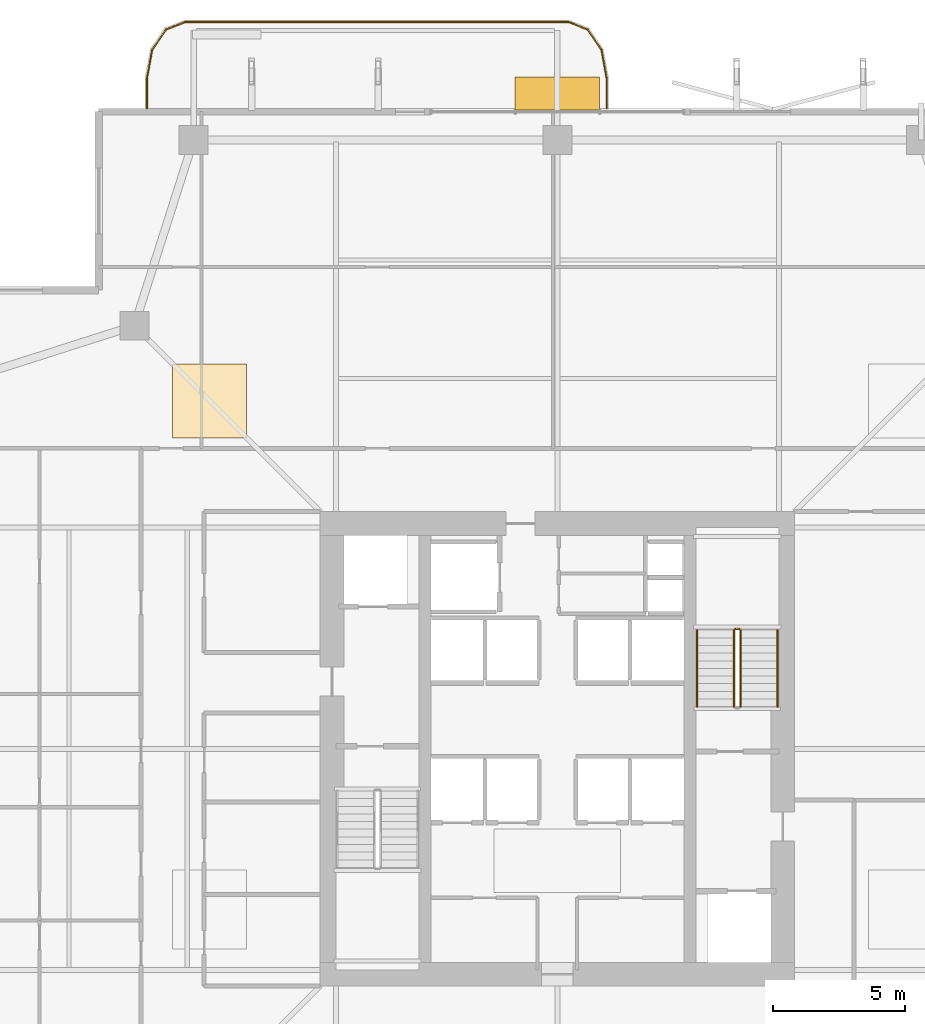
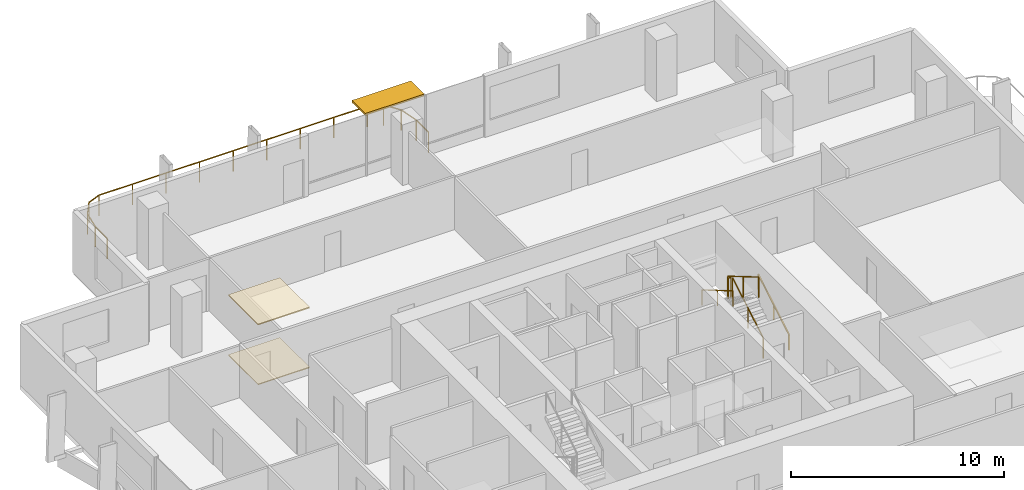
# One storey, part 24 of 25: 6 railings, 2 coverings, 1 shading device.
"""IFC4 building model written with IfcOpenShell, lengths in metres."""

from ifc_helpers import new_model, si_unit, direction, frame, origin, origin_2d, place, context, subcontext, project, spatial, polyline, rectangle, outline, extrude, material, layer, layer_set, type_object, element, save


model = new_model("IFC4")

# Units and contexts
model_context = context("Model", 3, precision=1e-05, world=origin(), true_north=direction((0.0, 1.0)))
body_context = subcontext(model_context, "Body", "Model", "MODEL_VIEW")
ifc_project = project(units=[si_unit("LENGTHUNIT", "METRE"), si_unit("AREAUNIT", "SQUARE_METRE"), si_unit("VOLUMEUNIT", "CUBIC_METRE"), si_unit("PLANEANGLEUNIT", "RADIAN"), si_unit("MASSUNIT", "GRAM", prefix="KILO")], contexts=[model_context])

# Site, building, storey
site_placement = place(None, origin())
site = spatial("IfcSite", under=ifc_project, at=site_placement, CompositionType="ELEMENT")
building_placement = place(site_placement, origin())
building = spatial("IfcBuilding", under=site, at=building_placement, Name="Belovzor Exchange Tower", CompositionType="ELEMENT")
storey_placement = place(building_placement, frame((0.0, 0.0, 153.300048828125)))
storey = spatial("IfcBuildingStorey", under=building, at=storey_placement, Name="L37", CompositionType="ELEMENT", Elevation=153.300048828125)

# Railings
ifc_material_1 = material(Name="Stainless Steel Grade 304", Category="steel")
railing_type_1 = type_object("IfcRailingType", Name="Brushed Stainless Steel Stair Handrail 900", PredefinedType="HANDRAIL", material=ifc_material_1)
railing_1_placement = place(storey_placement, frame((37.14990234375, 30.39990234375, 0.17041015625)))
element("IfcRailing", 1, at=railing_1_placement, inside=storey, type_object=railing_type_1, Name="L37 ST-2 stair handrail 1", PredefinedType="HANDRAIL", context=body_context, shape_type="SweptSolid", body=[
    extrude(rectangle(XDim=0.048095703125, YDim=0.048095703125, at=origin_2d()), frame((0.0, 0.0, 0.8759765625), z_axis=(0.0, 0.862113265706, 0.506715617574), x_axis=(-1.0, 0.0, 0.0)), (0.0, 0.0, 1.0), 3.364013671875),
    extrude(rectangle(XDim=0.0419921875, YDim=0.0419921875, at=origin_2d()), origin(), (0.0, 0.0, 1.0), 0.851806640625),
    extrude(rectangle(XDim=0.0419921875, YDim=0.0419921875, at=origin_2d()), frame((0.0, 1.4501953125, 0.852294921875)), (0.0, 0.0, 1.0), 0.851806640625),
    extrude(rectangle(XDim=0.0419921875, YDim=0.0419921875, at=origin_2d()), frame((0.0, 2.900146484375, 1.70458984375)), (0.0, 0.0, 1.0), 0.851806640625),
])
railing_2_placement = place(storey_placement, frame((34.10009765625, 33.300048828125, 2.04541015625)))
element("IfcRailing", 2, at=railing_2_placement, inside=storey, type_object=railing_type_1, Name="L37 ST-2 stair handrail 2", PredefinedType="HANDRAIL", context=body_context, shape_type="SweptSolid", body=[
    extrude(rectangle(XDim=0.048095703125, YDim=0.048095703125, at=origin_2d()), frame((0.0, 0.0, 0.8759765625), z_axis=(0.0, -0.862113265706, 0.506715617574), x_axis=(1.0, 0.0, 0.0)), (0.0, 0.0, 1.0), 3.364013671875),
    extrude(rectangle(XDim=0.0419921875, YDim=0.0419921875, at=origin_2d()), origin(), (0.0, 0.0, 1.0), 0.851806640625),
    extrude(rectangle(XDim=0.0419921875, YDim=0.0419921875, at=origin_2d()), frame((0.0, -1.4501953125, 0.852294921875)), (0.0, 0.0, 1.0), 0.851806640625),
    extrude(rectangle(XDim=0.0419921875, YDim=0.0419921875, at=origin_2d()), frame((0.0, -2.900146484375, 1.70458984375)), (0.0, 0.0, 1.0), 0.851806640625),
])
ifc_material_2 = material(Name="Stainless Steel and Laminated Safety Glass", Category="steel")
railing_type_2 = type_object("IfcRailingType", Name="Laminated Glass & Stainless Steel Balcony Balustrade 1200", PredefinedType="BALUSTRADE", material=ifc_material_2)
railing_3_placement = place(storey_placement, frame((30.669921875, 53.110107421875, 0.0)))
element("IfcRailing", 3, at=railing_3_placement, inside=storey, type_object=railing_type_2, Name="GR-1 Balcony Balustrade L37 North", PredefinedType="BALUSTRADE", context=body_context, shape_type="SweptSolid", body=[
    extrude(rectangle(XDim=0.048095703125, YDim=0.048095703125, at=origin_2d()), frame((0.0, 0.0, 1.17578125), z_axis=(0.0, 1.0, 0.0), x_axis=(-1.0, 0.0, 0.0)), (0.0, 0.0, 1.0), 1.1328125),
    extrude(rectangle(XDim=0.048095703125, YDim=0.048095703125, at=origin_2d()), frame((0.0, 1.1328125, 1.17578125), z_axis=(-0.180083182347, 0.983651385113, 0.0), x_axis=(-0.983651385113, -0.180083182347, 0.0)), (0.0, 0.0, 1.0), 1.093994140625),
    extrude(rectangle(XDim=0.048095703125, YDim=0.048095703125, at=origin_2d()), frame((-0.197021484375, 2.208984375, 1.17578125), z_axis=(-0.562768145367, 0.826614792125, 0.0), x_axis=(-0.826614792125, -0.562768145367, 0.0)), (0.0, 0.0, 1.0), 0.9326171875),
    extrude(rectangle(XDim=0.048095703125, YDim=0.048095703125, at=origin_2d()), frame((-0.721923828125, 2.97998046875, 1.17578125), z_axis=(-0.930766990125, 0.365612923861, 0.0), x_axis=(-0.365612923861, -0.930766990125, 0.0)), (0.0, 0.0, 1.0), 0.765869140625),
    extrude(rectangle(XDim=0.048095703125, YDim=0.048095703125, at=origin_2d()), frame((-1.434814453125, 3.260009765625, 1.17578125), z_axis=(-1.0, 0.0, 0.0), x_axis=(0.0, -1.0, 0.0)), (0.0, 0.0, 1.0), 14.570068359375),
    extrude(rectangle(XDim=0.048095703125, YDim=0.048095703125, at=origin_2d()), frame((-16.0048828125, 3.260009765625, 1.17578125), z_axis=(-0.930809580156, -0.365504480807, 0.0), x_axis=(0.365504480807, -0.930809580156, 0.0)), (0.0, 0.0, 1.0), 0.76611328125),
    extrude(rectangle(XDim=0.048095703125, YDim=0.048095703125, at=origin_2d()), frame((-16.718017578125, 2.97998046875, 1.17578125), z_axis=(-0.562768145367, -0.826614792125, 0.0), x_axis=(0.826614792125, -0.562768145367, 0.0)), (0.0, 0.0, 1.0), 0.9326171875),
    extrude(rectangle(XDim=0.048095703125, YDim=0.048095703125, at=origin_2d()), frame((-17.242919921875, 2.208984375, 1.17578125), z_axis=(-0.180083182347, -0.983651385113, 0.0), x_axis=(0.983651385113, -0.180083182347, 0.0)), (0.0, 0.0, 1.0), 1.093994140625),
    extrude(rectangle(XDim=0.048095703125, YDim=0.048095703125, at=origin_2d()), frame((-17.43994140625, 1.1328125, 1.17578125), z_axis=(0.0, -1.0, 0.0), x_axis=(1.0, 0.0, 0.0)), (0.0, 0.0, 1.0), 1.1328125),
    extrude(rectangle(XDim=0.0419921875, YDim=0.0419921875, at=origin_2d()), origin(), (0.0, 0.0, 1.0), 1.15185546875),
    extrude(rectangle(XDim=0.0419921875, YDim=0.0419921875, at=origin_2d()), frame((0.0, 1.1328125, 0.0)), (0.0, 0.0, 1.0), 1.15185546875),
    extrude(rectangle(XDim=0.0419921875, YDim=0.0419921875, at=origin_2d()), frame((-0.197021484375, 2.208984375, 0.0)), (0.0, 0.0, 1.0), 1.15185546875),
    extrude(rectangle(XDim=0.0419921875, YDim=0.0419921875, at=origin_2d()), frame((-0.721923828125, 2.97998046875, 0.0)), (0.0, 0.0, 1.0), 1.15185546875),
    extrude(rectangle(XDim=0.0419921875, YDim=0.0419921875, at=origin_2d()), frame((-1.434814453125, 3.260009765625, 0.0)), (0.0, 0.0, 1.0), 1.15185546875),
    extrude(rectangle(XDim=0.0419921875, YDim=0.0419921875, at=origin_2d()), frame((-3.256103515625, 3.260009765625, 0.0)), (0.0, 0.0, 1.0), 1.15185546875),
    extrude(rectangle(XDim=0.0419921875, YDim=0.0419921875, at=origin_2d()), frame((-5.077392578125, 3.260009765625, 0.0)), (0.0, 0.0, 1.0), 1.15185546875),
    extrude(rectangle(XDim=0.0419921875, YDim=0.0419921875, at=origin_2d()), frame((-6.898681640625, 3.260009765625, 0.0)), (0.0, 0.0, 1.0), 1.15185546875),
    extrude(rectangle(XDim=0.0419921875, YDim=0.0419921875, at=origin_2d()), frame((-8.7197265625, 3.260009765625, 0.0)), (0.0, 0.0, 1.0), 1.15185546875),
    extrude(rectangle(XDim=0.0419921875, YDim=0.0419921875, at=origin_2d()), frame((-10.541015625, 3.260009765625, 0.0)), (0.0, 0.0, 1.0), 1.15185546875),
    extrude(rectangle(XDim=0.0419921875, YDim=0.0419921875, at=origin_2d()), frame((-12.3623046875, 3.260009765625, 0.0)), (0.0, 0.0, 1.0), 1.15185546875),
    extrude(rectangle(XDim=0.0419921875, YDim=0.0419921875, at=origin_2d()), frame((-14.18359375, 3.260009765625, 0.0)), (0.0, 0.0, 1.0), 1.15185546875),
    extrude(rectangle(XDim=0.0419921875, YDim=0.0419921875, at=origin_2d()), frame((-16.0048828125, 3.260009765625, 0.0)), (0.0, 0.0, 1.0), 1.15185546875),
    extrude(rectangle(XDim=0.0419921875, YDim=0.0419921875, at=origin_2d()), frame((-16.718017578125, 2.97998046875, 0.0)), (0.0, 0.0, 1.0), 1.15185546875),
    extrude(rectangle(XDim=0.0419921875, YDim=0.0419921875, at=origin_2d()), frame((-17.242919921875, 2.208984375, 0.0)), (0.0, 0.0, 1.0), 1.15185546875),
    extrude(rectangle(XDim=0.0419921875, YDim=0.0419921875, at=origin_2d()), frame((-17.43994140625, 1.1328125, 0.0)), (0.0, 0.0, 1.0), 1.15185546875),
    extrude(rectangle(XDim=0.0419921875, YDim=0.0419921875, at=origin_2d()), frame((-17.43994140625, 0.0, 0.0)), (0.0, 0.0, 1.0), 1.15185546875),
])
ifc_material_3 = material(Name="Steel S355", Category="steel")
railing_type_3 = type_object("IfcRailingType", Name="Painted Steel Stairwell Guardrail 1200", PredefinedType="GUARDRAIL", material=ifc_material_3)
railing_4_placement = place(storey_placement, frame((35.75, 30.39990234375, 0.17041015625)))
element("IfcRailing", 4, at=railing_4_placement, inside=storey, type_object=railing_type_3, Name="L37 ST-2 stair guard 1", PredefinedType="GUARDRAIL", context=body_context, shape_type="SweptSolid", body=[
    extrude(rectangle(XDim=0.048095703125, YDim=0.048095703125, at=origin_2d()), frame((0.0, 0.0, 1.17578125), z_axis=(0.0, 0.862113265706, 0.506715617574), x_axis=(-1.0, 0.0, 0.0)), (0.0, 0.0, 1.0), 3.364013671875),
    extrude(rectangle(XDim=0.0419921875, YDim=0.0419921875, at=origin_2d()), origin(), (0.0, 0.0, 1.0), 1.15185546875),
    extrude(rectangle(XDim=0.0419921875, YDim=0.0419921875, at=origin_2d()), frame((0.0, 1.4501953125, 0.852294921875)), (0.0, 0.0, 1.0), 1.15185546875),
    extrude(rectangle(XDim=0.0419921875, YDim=0.0419921875, at=origin_2d()), frame((0.0, 2.900146484375, 1.70458984375)), (0.0, 0.0, 1.0), 1.15185546875),
])
railing_5_placement = place(storey_placement, frame((35.699951171875, 33.35009765625, 1.875)))
element("IfcRailing", 5, at=railing_5_placement, inside=storey, type_object=railing_type_3, Name="L37 ST-2 stair guard 2", PredefinedType="GUARDRAIL", context=body_context, shape_type="SweptSolid", body=[
    extrude(rectangle(XDim=0.048095703125, YDim=0.048095703125, at=origin_2d()), frame((0.0, 0.0, 1.17578125), z_axis=(-1.0, 0.0, 0.0), x_axis=(0.0, -1.0, 0.0)), (0.0, 0.0, 1.0), 0.14990234375),
    extrude(rectangle(XDim=0.0419921875, YDim=0.0419921875, at=origin_2d()), origin(), (0.0, 0.0, 1.0), 1.15185546875),
    extrude(rectangle(XDim=0.0419921875, YDim=0.0419921875, at=origin_2d()), frame((-0.14990234375, 0.0, 0.0)), (0.0, 0.0, 1.0), 1.15185546875),
])
railing_6_placement = place(storey_placement, frame((35.5, 33.300048828125, 2.04541015625)))
element("IfcRailing", 6, at=railing_6_placement, inside=storey, type_object=railing_type_3, Name="L37 ST-2 stair guard 3", PredefinedType="GUARDRAIL", context=body_context, shape_type="SweptSolid", body=[
    extrude(rectangle(XDim=0.048095703125, YDim=0.048095703125, at=origin_2d()), frame((0.0, 0.0, 1.17578125), z_axis=(0.0, -0.862113265706, 0.506715617574), x_axis=(1.0, 0.0, 0.0)), (0.0, 0.0, 1.0), 3.364013671875),
    extrude(rectangle(XDim=0.0419921875, YDim=0.0419921875, at=origin_2d()), origin(), (0.0, 0.0, 1.0), 1.15185546875),
    extrude(rectangle(XDim=0.0419921875, YDim=0.0419921875, at=origin_2d()), frame((0.0, -1.4501953125, 0.852294921875)), (0.0, 0.0, 1.0), 1.15185546875),
    extrude(rectangle(XDim=0.0419921875, YDim=0.0419921875, at=origin_2d()), frame((0.0, -2.900146484375, 1.70458984375)), (0.0, 0.0, 1.0), 1.15185546875),
])

# Coverings
ifc_material_4 = material(Name="Perforated Powder-Coated Aluminium", Category="aluminium")
ifc_layer_1 = layer(ifc_material_4, 0.06005859375)
ifc_layer_set_1 = layer_set([ifc_layer_1], Name="Perforated Powder-Coated Aluminium")
covering_type_1 = type_object("IfcCoveringType", Name="Perforated Acoustic Metal Tile Suspended Ceiling 60", PredefinedType="CEILING", material=ifc_layer_set_1)
covering_1_placement = place(storey_placement, frame((0.0, 0.0, 3.43505859375)))
element("IfcCovering", 7, at=covering_1_placement, inside=storey, type_object=covering_type_1, Name="CLG-AC60 Suspended Ceiling CLG-L37-Z2", PredefinedType="CEILING", context=body_context, shape_type="SweptSolid", body=[
    extrude(outline(polyline([(14.199951171875, 40.60009765625), (17.0, 40.60009765625), (17.0, 43.39990234375), (14.199951171875, 43.39990234375), (14.199951171875, 40.60009765625)])), origin(), (0.0, 0.0, 1.0), 0.059814453125),
])
ifc_material_5 = material(Name="Polished Natural Granite Tile", Category="masonry")
ifc_layer_2 = layer(ifc_material_5, 0.050048828125)
ifc_layer_set_2 = layer_set([ifc_layer_2], Name="Polished Natural Granite Tile")
covering_type_2 = type_object("IfcCoveringType", Name="Polished Karelian Granite & Raised Access Floor Finish 50", PredefinedType="FLOORING", material=ifc_layer_set_2)
covering_2_placement = place(storey_placement, origin())
element("IfcCovering", 8, at=covering_2_placement, inside=storey, type_object=covering_type_2, Name="FLR-GR50 Floor Finish FLR-L37-Z2", PredefinedType="FLOORING", context=body_context, shape_type="SweptSolid", body=[
    extrude(outline(polyline([(14.199951171875, 40.60009765625), (17.0, 40.60009765625), (17.0, 43.39990234375), (14.199951171875, 43.39990234375), (14.199951171875, 40.60009765625)])), origin(), (0.0, 0.0, 1.0), 0.050048828125),
])

# Shading device
ifc_material_6 = material(Name="Extruded Architectural Terracotta", Category="masonry")
ifc_layer_3 = layer(ifc_material_6, 0.1201171875)
ifc_layer_set_3 = layer_set([ifc_layer_3], Name="Extruded Architectural Terracotta")
shading_device_type = type_object("IfcShadingDeviceType", Name="Streamline Terracotta Horizontal Sunshade Hood 1250", PredefinedType="AWNING", material=ifc_layer_set_3)
shading_device_placement = place(storey_placement, frame((28.800048828125, 53.6650390625, 3.375), z_axis=(0.0, 0.0, 1.0), x_axis=(1.0, 0.0, 0.0)))
element("IfcShadingDevice", 9, at=shading_device_placement, inside=storey, type_object=shading_device_type, Name="SHD-TC125 Terracotta Sunshade L37 N", PredefinedType="AWNING", context=body_context, shape_type="SweptSolid", body=[
    extrude(rectangle(XDim=3.199951171875, YDim=1.25, at=origin_2d()), origin(), (0.0, 0.0, 1.0), 0.1201171875),
])

save(model, "model.ifc")
